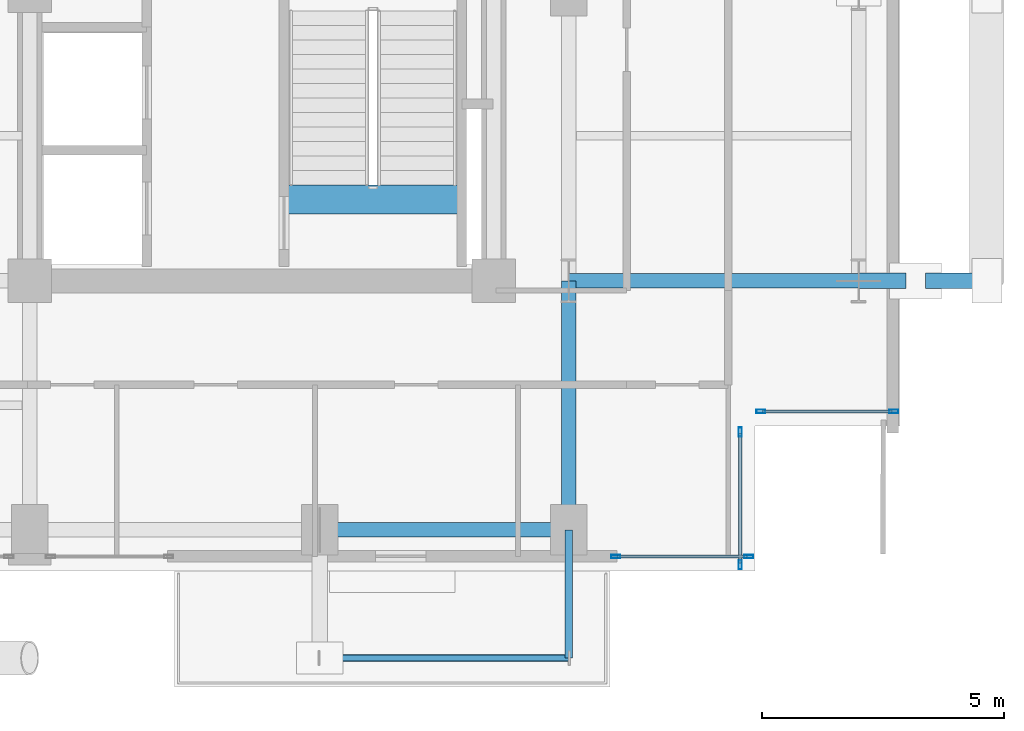
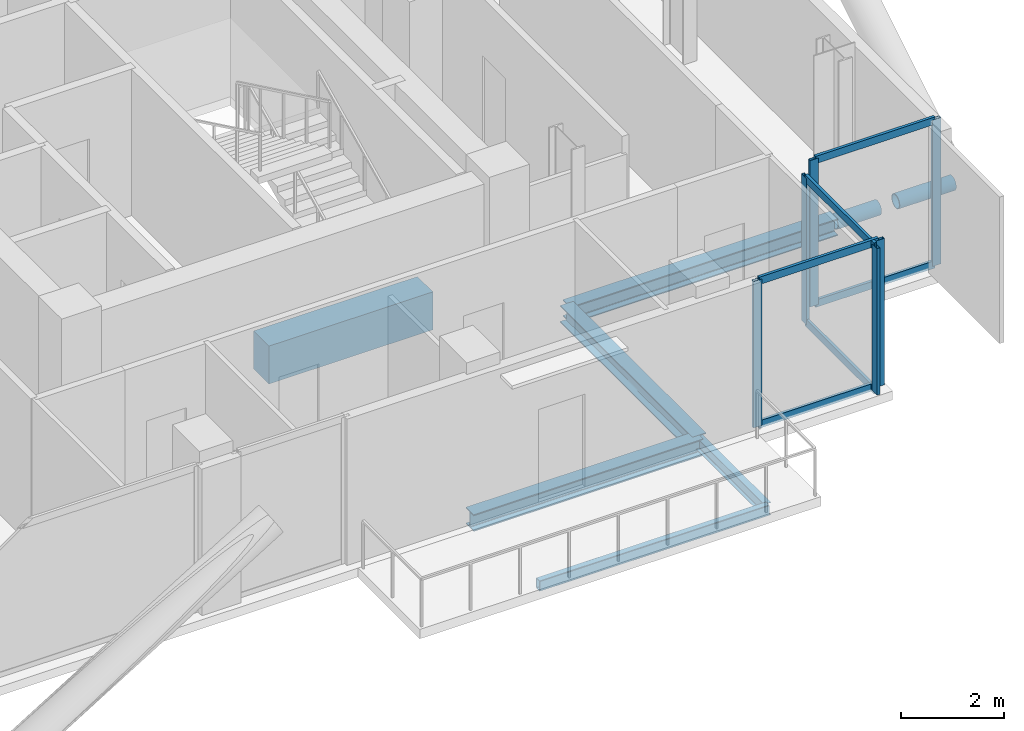
# One storey, part 11 of 26: 14 members, 6 beams, 3 elements without a shape of their own.
"""IFC4 building model written with IfcOpenShell, lengths in metres."""

from ifc_helpers import new_model, si_unit, direction, frame, origin, origin_2d, place, context, subcontext, project, spatial, rectangle, hollow_rectangle, hollow_circle, i_section, extrude, material, layer, layer_set, material_profile, profile_set, type_object, element, aggregate, save


model = new_model("IFC4")

# Units and contexts
model_context = context("Model", 3, precision=1e-05, world=origin(), true_north=direction((0.0, 1.0)))
body_context = subcontext(model_context, "Body", "Model", "MODEL_VIEW")
ifc_project = project(units=[si_unit("LENGTHUNIT", "METRE"), si_unit("AREAUNIT", "SQUARE_METRE"), si_unit("VOLUMEUNIT", "CUBIC_METRE"), si_unit("PLANEANGLEUNIT", "RADIAN"), si_unit("MASSUNIT", "GRAM", prefix="KILO"), si_unit("THERMODYNAMICTEMPERATUREUNIT", "KELVIN"), si_unit("POWERUNIT", "WATT")], contexts=[model_context])

# Site, building, storey
site_placement = place(None, origin())
site = spatial("IfcSite", under=ifc_project, at=site_placement, CompositionType="ELEMENT")
building_placement = place(site_placement, origin())
building = spatial("IfcBuilding", under=site, at=building_placement, Name="Svarakhadi Broadcast Tower", CompositionType="ELEMENT")
storey_placement = place(building_placement, frame((0.0, 0.0, 195.449951171875)))
storey = spatial("IfcBuildingStorey", under=building, at=storey_placement, Name="L48", CompositionType="ELEMENT", Elevation=195.449951171875)

# Curtain wall, members
ifc_material_1 = material(Name="Anodised Bronze Aluminium AA 6063-T6", Category="aluminium")
ifc_layer = layer(ifc_material_1, 0.18994140625)
ifc_layer_set = layer_set([ifc_layer], Name="Anodised Bronze Aluminium AA 6063-T6")
curtain_wall_type = type_object("IfcCurtainWallType", Name="CW_Sys_04", PredefinedType="NOTDEFINED", material=ifc_layer_set)
curtain_wall_1_placement = place(storey_placement, origin())
curtain_wall_1 = element("IfcCurtainWall", 1, at=curtain_wall_1_placement, inside=storey, type_object=curtain_wall_type, Name="L48 Unitised Facade Curtain Wall 13", PredefinedType="NOTDEFINED")
ifc_material_profile_1 = material_profile(ifc_material_1, hollow_rectangle(XDim=0.070068359375, YDim=0.18994140625, WallThickness=0.005615234375, at=origin_2d()), Name="ALU MULLION 190x70x6")
ifc_profile_set_1 = profile_set([ifc_material_profile_1], Name="Anodised Bronze Aluminium AA 6063-T6")
member_type_1 = type_object("IfcMemberType", Name="CW_Sys_04_Mul", PredefinedType="MULLION", material=ifc_profile_set_1)
member_1_placement = place(storey_placement, frame((41.875, 3.300048828125, 0.0), z_axis=(0.0, 0.0, 1.0), x_axis=(0.0, -1.0, 0.0)))
member_1 = element("IfcMember", 2, at=member_1_placement, type_object=member_type_1, Name="CW-04 mullion 1", PredefinedType="MULLION", context=body_context, shape_type="SweptSolid", body=[
    extrude(hollow_rectangle(XDim=0.070068359375, YDim=0.18994140625, WallThickness=0.005615234375, at=origin_2d()), origin(), (0.0, 0.0, 1.0), 3.47509765625),
])
member_2_placement = place(storey_placement, frame((39.125, 3.300048828125, 0.0), z_axis=(0.0, 0.0, 1.0), x_axis=(0.0, -1.0, 0.0)))
member_2 = element("IfcMember", 3, at=member_2_placement, type_object=member_type_1, Name="CW-04 mullion 2", PredefinedType="MULLION", context=body_context, shape_type="SweptSolid", body=[
    extrude(hollow_rectangle(XDim=0.070068359375, YDim=0.18994140625, WallThickness=0.005615234375, at=origin_2d()), origin(), (0.0, 0.0, 1.0), 3.47509765625),
])

curtain_wall_2_placement = place(storey_placement, origin())
curtain_wall_2 = element("IfcCurtainWall", 4, at=curtain_wall_2_placement, inside=storey, type_object=curtain_wall_type, Name="L48 Unitised Facade Curtain Wall 14", PredefinedType="NOTDEFINED")
member_3_placement = place(storey_placement, frame((38.699951171875, 2.875, 0.0), z_axis=(0.0, 0.0, 1.0), x_axis=(1.0, 0.0, 0.0)))
member_3 = element("IfcMember", 5, at=member_3_placement, type_object=member_type_1, Name="CW-04 mullion 1", PredefinedType="MULLION", context=body_context, shape_type="SweptSolid", body=[
    extrude(hollow_rectangle(XDim=0.070068359375, YDim=0.18994140625, WallThickness=0.005615234375, at=origin_2d()), origin(), (0.0, 0.0, 1.0), 3.47509765625),
])
member_4_placement = place(storey_placement, frame((38.699951171875, 0.125, 0.0), z_axis=(0.0, 0.0, 1.0), x_axis=(1.0, 0.0, 0.0)))
member_4 = element("IfcMember", 6, at=member_4_placement, type_object=member_type_1, Name="CW-04 mullion 2", PredefinedType="MULLION", context=body_context, shape_type="SweptSolid", body=[
    extrude(hollow_rectangle(XDim=0.070068359375, YDim=0.18994140625, WallThickness=0.005615234375, at=origin_2d()), origin(), (0.0, 0.0, 1.0), 3.47509765625),
])

curtain_wall_3_placement = place(storey_placement, origin())
curtain_wall_3 = element("IfcCurtainWall", 7, at=curtain_wall_3_placement, inside=storey, type_object=curtain_wall_type, Name="L48 South Curtain Wall 15", PredefinedType="NOTDEFINED")
member_5_placement = place(storey_placement, frame((38.875, 0.300048828125, 0.0), z_axis=(0.0, 0.0, 1.0), x_axis=(0.0, -1.0, 0.0)))
member_5 = element("IfcMember", 8, at=member_5_placement, type_object=member_type_1, Name="CW-04 mullion 1", PredefinedType="MULLION", context=body_context, shape_type="SweptSolid", body=[
    extrude(hollow_rectangle(XDim=0.070068359375, YDim=0.18994140625, WallThickness=0.005615234375, at=origin_2d()), origin(), (0.0, 0.0, 1.0), 3.47509765625),
])
member_6_placement = place(storey_placement, frame((36.125, 0.300048828125, 0.0), z_axis=(0.0, 0.0, 1.0), x_axis=(0.0, -1.0, 0.0)))
member_6 = element("IfcMember", 9, at=member_6_placement, type_object=member_type_1, Name="CW-04 mullion 2", PredefinedType="MULLION", context=body_context, shape_type="SweptSolid", body=[
    extrude(hollow_rectangle(XDim=0.070068359375, YDim=0.18994140625, WallThickness=0.005615234375, at=origin_2d()), origin(), (0.0, 0.0, 1.0), 3.47509765625),
])

# Member
ifc_material_profile_2 = material_profile(ifc_material_1, hollow_rectangle(XDim=0.06494140625, YDim=0.175048828125, WallThickness=0.0048828125, at=origin_2d()), Name="ALU TRANSOM 175x65x5")
ifc_profile_set_2 = profile_set([ifc_material_profile_2], Name="Anodised Bronze Aluminium AA 6063-T6")
member_type_2 = type_object("IfcMemberType", Name="CW_Sys_04_Trn", PredefinedType="USERDEFINED", material=ifc_profile_set_2)
member_7_placement = place(storey_placement, frame((41.840087890625, 3.300048828125, 0.032470703125), z_axis=(-1.0, 0.0, 0.0), x_axis=(0.0, -1.0, 0.0)))
member_7 = element("IfcMember", 10, at=member_7_placement, type_object=member_type_2, Name="CW-04 transom 1.1", ObjectType="TRANSOM", PredefinedType="USERDEFINED", context=body_context, shape_type="SweptSolid", body=[
    extrude(hollow_rectangle(XDim=0.06494140625, YDim=0.175048828125, WallThickness=0.0048828125, at=origin_2d()), origin(), (0.0, 0.0, 1.0), 2.68017578125),
])

member_8_placement = place(storey_placement, frame((41.840087890625, 3.300048828125, 3.442626953125), z_axis=(-1.0, 0.0, 0.0), x_axis=(0.0, -1.0, 0.0)))
member_8 = element("IfcMember", 11, at=member_8_placement, type_object=member_type_2, Name="CW-04 transom 1.2", ObjectType="TRANSOM", PredefinedType="USERDEFINED", context=body_context, shape_type="SweptSolid", body=[
    extrude(hollow_rectangle(XDim=0.06494140625, YDim=0.175048828125, WallThickness=0.0048828125, at=origin_2d()), origin(), (0.0, 0.0, 1.0), 2.68017578125),
])

aggregate(curtain_wall_1, [member_1, member_2, member_7, member_8])

member_9_placement = place(storey_placement, frame((38.699951171875, 2.840087890625, 0.032470703125), z_axis=(0.0, -1.0, 0.0), x_axis=(1.0, 0.0, 0.0)))
member_9 = element("IfcMember", 12, at=member_9_placement, type_object=member_type_2, Name="CW-04 transom 1.1", ObjectType="TRANSOM", PredefinedType="USERDEFINED", context=body_context, shape_type="SweptSolid", body=[
    extrude(hollow_rectangle(XDim=0.06494140625, YDim=0.175048828125, WallThickness=0.0048828125, at=origin_2d()), origin(), (0.0, 0.0, 1.0), 2.68017578125),
])

member_10_placement = place(storey_placement, frame((38.699951171875, 2.840087890625, 3.442626953125), z_axis=(0.0, -1.0, 0.0), x_axis=(1.0, 0.0, 0.0)))
member_10 = element("IfcMember", 13, at=member_10_placement, type_object=member_type_2, Name="CW-04 transom 1.2", ObjectType="TRANSOM", PredefinedType="USERDEFINED", context=body_context, shape_type="SweptSolid", body=[
    extrude(hollow_rectangle(XDim=0.06494140625, YDim=0.175048828125, WallThickness=0.0048828125, at=origin_2d()), origin(), (0.0, 0.0, 1.0), 2.68017578125),
])

aggregate(curtain_wall_2, [member_3, member_4, member_9, member_10])

member_11_placement = place(storey_placement, frame((38.840087890625, 0.300048828125, 0.032470703125), z_axis=(-1.0, 0.0, 0.0), x_axis=(0.0, -1.0, 0.0)))
member_11 = element("IfcMember", 14, at=member_11_placement, type_object=member_type_2, Name="CW-04 transom 1.1", ObjectType="TRANSOM", PredefinedType="USERDEFINED", context=body_context, shape_type="SweptSolid", body=[
    extrude(hollow_rectangle(XDim=0.06494140625, YDim=0.175048828125, WallThickness=0.0048828125, at=origin_2d()), origin(), (0.0, 0.0, 1.0), 2.68017578125),
])

member_12_placement = place(storey_placement, frame((38.840087890625, 0.300048828125, 3.442626953125), z_axis=(-1.0, 0.0, 0.0), x_axis=(0.0, -1.0, 0.0)))
member_12 = element("IfcMember", 15, at=member_12_placement, type_object=member_type_2, Name="CW-04 transom 1.2", ObjectType="TRANSOM", PredefinedType="USERDEFINED", context=body_context, shape_type="SweptSolid", body=[
    extrude(hollow_rectangle(XDim=0.06494140625, YDim=0.175048828125, WallThickness=0.0048828125, at=origin_2d()), origin(), (0.0, 0.0, 1.0), 2.68017578125),
])

aggregate(curtain_wall_3, [member_5, member_6, member_11, member_12])

# Beam
ifc_material_2 = material(Name="Concrete C50/60 (IS 456 M60)", Category="concrete")
ifc_material_profile_3 = material_profile(ifc_material_2, rectangle(XDim=0.60009765625, YDim=0.89990234375, at=origin_2d()), Name="RC 600x900")
ifc_profile_set_3 = profile_set([ifc_material_profile_3], Name="Concrete C50/60 (IS 456 M60)")
beam_type_1 = type_object("IfcBeamType", Name="Coupling_RC600", PredefinedType="USERDEFINED", material=ifc_profile_set_3)
beam_1_placement = place(storey_placement, frame((29.260009765625, 7.679931640625, -0.449951171875), z_axis=(1.0, 0.0, 0.0), x_axis=(0.0, 1.0, 0.0)))
element("IfcBeam", 16, at=beam_1_placement, inside=storey, type_object=beam_type_1, Name="L48 Stair ST-02 Landing Throat Trimmer Beam CB-01", ObjectType="GIRDER", PredefinedType="USERDEFINED", context=body_context, shape_type="SweptSolid", body=[
    extrude(rectangle(XDim=0.60009765625, YDim=0.89990234375, at=origin_2d()), origin(), (0.0, 0.0, 1.0), 3.679931640625),
])

# Members
ifc_material_3 = material(Name="Steel S460ML (IS 2062 E450BR)", Category="steel")
ifc_material_profile_4 = material_profile(ifc_material_3, hollow_circle(Radius=0.161865234375, WallThickness=0.01611328125, at=origin_2d()), Name="CHS 323.9x16")
ifc_profile_set_4 = profile_set([ifc_material_profile_4], Name="Steel S460ML (IS 2062 E450BR)")
member_type_3 = type_object("IfcMemberType", Name="Exo_Radial_Strut_Z2", PredefinedType="STRUT", material=ifc_profile_set_4)
member_13_placement = place(storey_placement, frame((43.800048828125, 6.0, -0.371826171875), z_axis=(-1.0, 0.0, 0.0), x_axis=(0.0, -1.0, 0.0)))
element("IfcMember", 17, at=member_13_placement, inside=storey, type_object=member_type_3, Name="L48 Exoskeleton Radial Tie Strut E07A", PredefinedType="STRUT", context=body_context, shape_type="SweptSolid", body=[
    extrude(hollow_circle(Radius=0.161865234375, WallThickness=0.01611328125, at=origin_2d()), origin(), (0.0, 0.0, 1.0), 1.270263671875),
])
member_14_placement = place(storey_placement, frame((42.123779296875, 6.0, -0.371826171875), z_axis=(-1.0, 0.0, 0.0), x_axis=(0.0, -1.0, 0.0)))
element("IfcMember", 18, at=member_14_placement, inside=storey, type_object=member_type_3, Name="L48 Exoskeleton Radial Tie Strut E07B", PredefinedType="STRUT", context=body_context, shape_type="SweptSolid", body=[
    extrude(hollow_circle(Radius=0.161865234375, WallThickness=0.01611328125, at=origin_2d()), origin(), (0.0, 0.0, 1.0), 0.973876953125),
])

# Beams
ifc_material_4 = material(Name="Steel S355J2 (IS 2062 E350C)", Category="steel")
ifc_material_profile_5 = material_profile(ifc_material_4, i_section(OverallWidth=0.300048828125, OverallDepth=0.39990234375, WebThickness=0.013427734375, FlangeThickness=0.02392578125, FilletRadius=0.027099609375, at=origin_2d()), Name="WPB 400x300x155")
ifc_profile_set_5 = profile_set([ifc_material_profile_5], Name="Steel S355J2 (IS 2062 E350C)")
beam_type_2 = type_object("IfcBeamType", Name="Girder_WPB400", PredefinedType="USERDEFINED", material=ifc_profile_set_5)
beam_2_placement = place(storey_placement, frame((30.0, 0.85009765625, -0.409912109375), z_axis=(1.0, 0.0, 0.0), x_axis=(0.0, 1.0, 0.0)))
element("IfcBeam", 19, at=beam_2_placement, inside=storey, type_object=beam_type_2, Name="L48 Primary E-W Girder G008", ObjectType="GIRDER", PredefinedType="USERDEFINED", context=body_context, shape_type="SweptSolid", body=[
    extrude(i_section(OverallWidth=0.300048828125, OverallDepth=0.39990234375, WebThickness=0.013427734375, FlangeThickness=0.02392578125, FilletRadius=0.027099609375, at=origin_2d()), origin(), (0.0, 0.0, 1.0), 5.14990234375),
])
beam_3_placement = place(storey_placement, frame((35.14990234375, 6.0, -0.409912109375), z_axis=(1.0, 0.0, 0.0), x_axis=(0.0, 1.0, 0.0)))
element("IfcBeam", 20, at=beam_3_placement, inside=storey, type_object=beam_type_2, Name="L48 Primary E-W Girder G014", ObjectType="GIRDER", PredefinedType="USERDEFINED", context=body_context, shape_type="SweptSolid", body=[
    extrude(i_section(OverallWidth=0.300048828125, OverallDepth=0.39990234375, WebThickness=0.013427734375, FlangeThickness=0.02392578125, FilletRadius=0.027099609375, at=origin_2d()), origin(), (0.0, 0.0, 1.0), 6.0),
])
beam_4_placement = place(storey_placement, frame((35.14990234375, 0.85009765625, -0.409912109375), z_axis=(0.0, 1.0, 0.0), x_axis=(-1.0, 0.0, 0.0)))
element("IfcBeam", 21, at=beam_4_placement, inside=storey, type_object=beam_type_2, Name="L48 Primary N-S Girder G056", ObjectType="GIRDER", PredefinedType="USERDEFINED", context=body_context, shape_type="SweptSolid", body=[
    extrude(i_section(OverallWidth=0.300048828125, OverallDepth=0.39990234375, WebThickness=0.013427734375, FlangeThickness=0.02392578125, FilletRadius=0.027099609375, at=origin_2d()), origin(), (0.0, 0.0, 1.0), 5.14990234375),
])
ifc_material_profile_6 = material_profile(ifc_material_4, i_section(OverallWidth=0.14990234375, OverallDepth=0.300048828125, WebThickness=0.007080078125, FlangeThickness=0.0107421875, FilletRadius=0.014892578125, at=origin_2d()), Name="NPB 300x150x37")
ifc_profile_set_6 = profile_set([ifc_material_profile_6], Name="Steel S355J2 (IS 2062 E350C)")
beam_type_3 = type_object("IfcBeamType", Name="Spandrel_NPB300", PredefinedType="SPANDREL", material=ifc_profile_set_6)
beam_5_placement = place(storey_placement, frame((35.14990234375, 0.85009765625, -0.375), z_axis=(0.0, -1.0, 0.0), x_axis=(1.0, 0.0, 0.0)))
element("IfcBeam", 22, at=beam_5_placement, inside=storey, type_object=beam_type_3, Name="L48 Balcony Cantilever Bracket 1B", PredefinedType="SPANDREL", context=body_context, shape_type="SweptSolid", body=[
    extrude(i_section(OverallWidth=0.14990234375, OverallDepth=0.300048828125, WebThickness=0.007080078125, FlangeThickness=0.0107421875, FilletRadius=0.014892578125, at=origin_2d()), origin(), (0.0, 0.0, 1.0), 2.650146484375),
])
ifc_material_profile_7 = material_profile(ifc_material_3, hollow_rectangle(XDim=0.14990234375, YDim=0.25, WallThickness=0.010009765625, InnerFilletRadius=0.010009765625, OuterFilletRadius=0.02001953125, at=origin_2d()), Name="RHS 250x150x10")
ifc_profile_set_7 = profile_set([ifc_material_profile_7], Name="Steel S460ML (IS 2062 E450BR)")
beam_type_4 = type_object("IfcBeamType", Name="Spandrel_RHS250", PredefinedType="SPANDREL", material=ifc_profile_set_7)
beam_6_placement = place(storey_placement, frame((30.0, -1.800048828125, -0.349853515625), z_axis=(1.0, 0.0, 0.0), x_axis=(0.0, 1.0, 0.0)))
element("IfcBeam", 23, at=beam_6_placement, inside=storey, type_object=beam_type_4, Name="L48 Balcony Outer Spandrel 1F", PredefinedType="SPANDREL", context=body_context, shape_type="SweptSolid", body=[
    extrude(hollow_rectangle(XDim=0.14990234375, YDim=0.25, WallThickness=0.010009765625, InnerFilletRadius=0.010009765625, OuterFilletRadius=0.02001953125, at=origin_2d()), origin(), (0.0, 0.0, 1.0), 5.14990234375),
])

save(model, "model.ifc")
